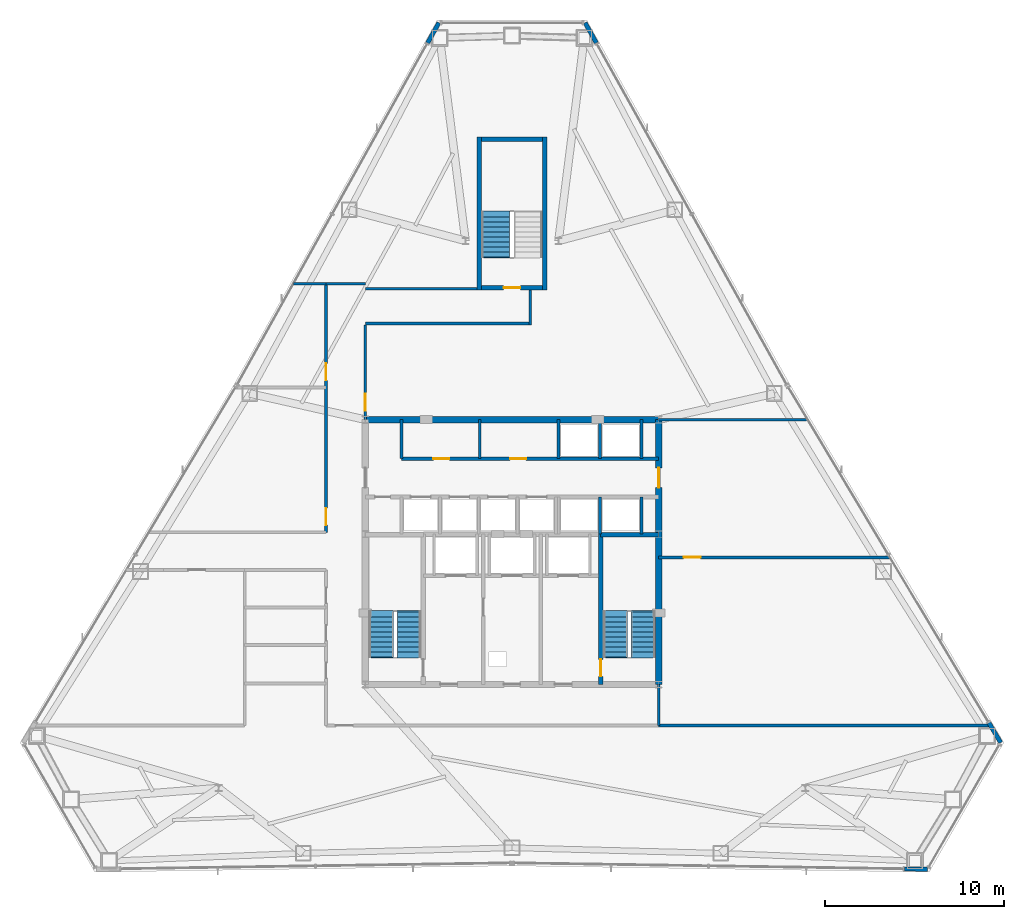
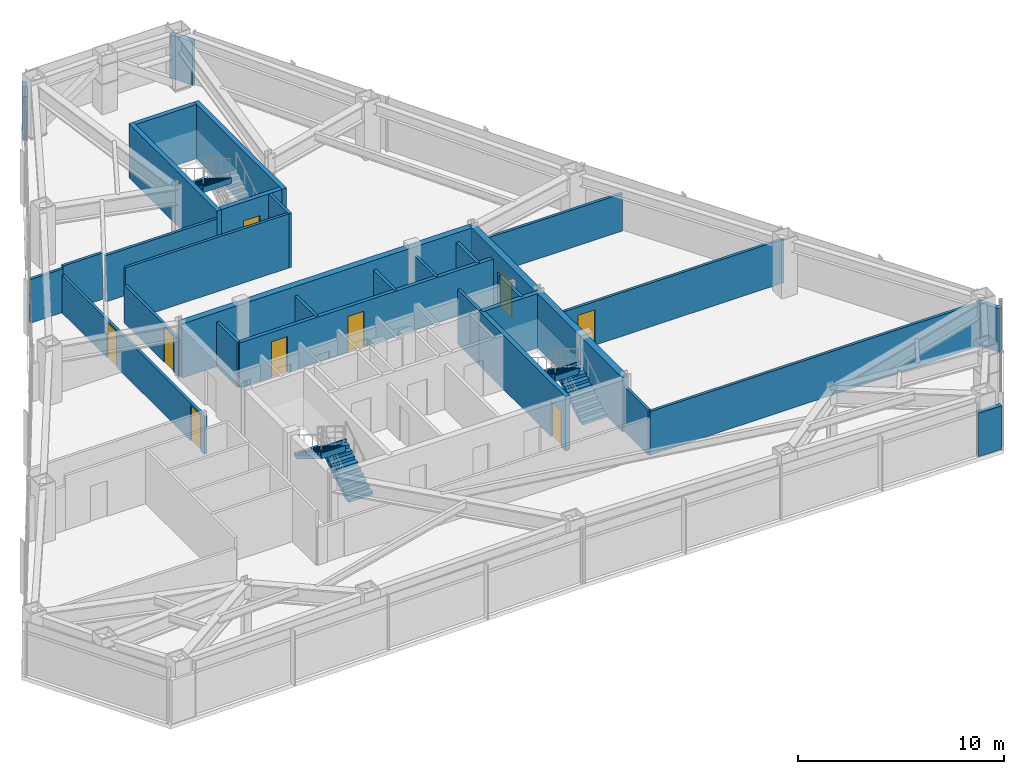
# One storey, part 11 of 13: 31 walls, 9 doors, 5 stair flights, 9 openings, 3 elements without a shape of their own.
"""IFC4 building model written with IfcOpenShell, lengths in metres."""

from ifc_helpers import new_model, si_unit, direction, frame, frame_2d, origin, place, context, subcontext, project, spatial, polyline, rectangle, outline, extrude, material, layer, layer_set, type_object, element, fill, aggregate, save


model = new_model("IFC4")

# Units and contexts
model_context = context("Model", 3, precision=1e-05, world=origin(), true_north=direction((0.0, 1.0)))
body_context = subcontext(model_context, "Body", "Model", "MODEL_VIEW")
ifc_project = project(units=[si_unit("LENGTHUNIT", "METRE"), si_unit("AREAUNIT", "SQUARE_METRE"), si_unit("VOLUMEUNIT", "CUBIC_METRE"), si_unit("PLANEANGLEUNIT", "RADIAN"), si_unit("MASSUNIT", "GRAM", prefix="KILO")], contexts=[model_context])

# Site, building, storey
site_placement = place(None, origin())
site = spatial("IfcSite", under=ifc_project, at=site_placement, CompositionType="ELEMENT")
building_placement = place(site_placement, origin())
building = spatial("IfcBuilding", under=site, at=building_placement, Name="Varakhsha Concourse Tower", CompositionType="ELEMENT")
storey_placement = place(building_placement, frame((0.0, 0.0, 147.050048828125)))
storey = spatial("IfcBuildingStorey", under=building, at=storey_placement, Name="L42", CompositionType="ELEMENT", Elevation=147.050048828125)

# Wall
ifc_material_1 = material(Name="Concrete fc 65 MPa", Category="concrete")
ifc_layer_1 = layer(ifc_material_1, 0.35009765625, Name="WL-CORE-350")
ifc_layer_set_1 = layer_set([ifc_layer_1], Name="Concrete fc 65 MPa")
wall_type_1 = type_object("IfcWallType", Name="WL-CORE-350", PredefinedType="SHEAR", material=ifc_layer_set_1)
wall_1_placement = place(storey_placement, frame((31.800048828125, 31.199951171875, 0.0), z_axis=(0.0, 0.0, 1.0), x_axis=(1.0, 0.0, 0.0)))
element("IfcWall", 1, at=wall_1_placement, inside=storey, type_object=wall_type_1, Name="L42 Wall CWALL-N-L42", PredefinedType="SHEAR", context=body_context, shape_type="SweptSolid", body=[
    extrude(rectangle(XDim=16.39990234375, YDim=0.35009765625, at=frame_2d((8.199951171875, 0.0))), origin(), (0.0, 0.0, 1.0), 3.2099609375),
])

# Wall, opening, door
wall_2_placement = place(storey_placement, frame((48.199951171875, 16.39990234375, 0.0), z_axis=(0.0, 0.0, 1.0), x_axis=(0.0, 1.0, 0.0)))
wall_2 = element("IfcWall", 2, at=wall_2_placement, inside=storey, type_object=wall_type_1, Name="L42 Wall CWALL-E-L42", PredefinedType="SHEAR", context=body_context, shape_type="SweptSolid", body=[
    extrude(rectangle(XDim=14.800048828125, YDim=0.35009765625, at=frame_2d((7.39990234375, 0.0))), origin(), (0.0, 0.0, 1.0), 3.2099609375),
])
opening_1_placement = place(wall_2_placement, frame((11.0, 0.0, 0.0)))
opening_1 = element("IfcOpeningElement", 3, at=opening_1_placement, cuts=wall_2, Name="Opening DL-01", PredefinedType="OPENING", context=body_context, shape_type="SweptSolid", body=[
    extrude(rectangle(XDim=1.10009765625, YDim=2.14990234375, at=frame_2d((0.550048828125, 1.074951171875))), frame((0.0, 0.18505859375, 0.0), z_axis=(0.0, -1.0, 0.0), x_axis=(1.0, 0.0, 0.0)), (0.0, 0.0, 1.0), 0.3701171875),
])
ifc_material_2 = material(Name="Anodised Bronze Architectural Aluminium AA 6063-T6", Category="aluminium")
door_type_1 = type_object("IfcDoorType", Name="DR-LOB-1100", OperationType="NOTDEFINED", PredefinedType="DOOR", material=ifc_material_2)
door_1_placement = place(opening_1_placement, origin())
door_1 = element("IfcDoor", 4, at=door_1_placement, inside=storey, type_object=door_type_1, Name="L42 Lift Lobby East Concourse Door", OperationType="SINGLE_SWING_RIGHT", OverallHeight=2.14990234375, OverallWidth=1.10009765625, PredefinedType="DOOR", context=body_context, shape_type="SweptSolid", body=[
    extrude(rectangle(XDim=1.10009765625, YDim=2.14990234375, at=frame_2d((0.550048828125, 1.074951171875))), frame((0.0, 0.02490234375, 0.0), z_axis=(0.0, -1.0, 0.0), x_axis=(1.0, 0.0, 0.0)), (0.0, 0.0, 1.0), 0.050048828125),
])
fill(opening_1, door_1)

# Walls
ifc_material_3 = material(Name="Concrete fc 45 MPa", Category="concrete")
ifc_layer_2 = layer(ifc_material_3, 0.239990234375, Name="WL-EXT-CRN-240")
ifc_layer_set_2 = layer_set([ifc_layer_2], Name="Concrete fc 45 MPa")
wall_type_2 = type_object("IfcWallType", Name="WL-EXT-CRN-240", PredefinedType="SHEAR", material=ifc_layer_set_2)
for number, where, z_axis, x_axis, name in (
    (5, (35.9111328125, 53.3955078125, 0.0), (0.0, 0.0, 1.0), (-0.486747388301, -0.87354277513, 0.0), "L42 Wind-Corner Shoulder Wall F2"),
    (6, (61.945068359375, 6.080810546875, 0.0), (0.0, 0.0, 1.0), (0.999886185818, -0.015086928492, 0.0), "L42 Wind-Corner Shoulder Wall F6"),
):
    element("IfcWall", number, at=place(storey_placement, frame(where, z_axis=z_axis, x_axis=x_axis)), inside=storey, type_object=wall_type_2, Name=name, PredefinedType="SHEAR", context=body_context, shape_type="SweptSolid", body=[
        extrude(rectangle(XDim=1.294677734375, YDim=0.239990234375, at=frame_2d((0.6474609375, 0.0))), origin(), (0.0, 0.0, 1.0), 2.5830078125),
    ])
wall_3_placement = place(storey_placement, frame((67.328369140625, 13.143310546875, 0.0), z_axis=(0.0, 0.0, 1.0), x_axis=(-0.513024934393, 0.858373704567, 0.0)))
element("IfcWall", 7, at=wall_3_placement, inside=storey, type_object=wall_type_2, Name="L42 Wind-Corner Shoulder Wall F8", PredefinedType="SHEAR", context=body_context, shape_type="SweptSolid", body=[
    extrude(rectangle(XDim=1.29443359375, YDim=0.239990234375, at=frame_2d((0.647216796875, 0.0))), origin(), (0.0, 0.0, 1.0), 2.5830078125),
])
wall_4_placement = place(storey_placement, frame((44.718994140625, 52.2646484375, 0.0), z_axis=(0.0, 0.0, 1.0), x_axis=(-0.486747388301, 0.87354277513, 0.0)))
element("IfcWall", 8, at=wall_4_placement, inside=storey, type_object=wall_type_2, Name="L42 Wind-Corner Shoulder Wall F9", PredefinedType="SHEAR", context=body_context, shape_type="SweptSolid", body=[
    extrude(rectangle(XDim=1.294677734375, YDim=0.239990234375, at=frame_2d((0.6474609375, 0.0))), origin(), (0.0, 0.0, 1.0), 2.5830078125),
])
ifc_material_4 = material(Name="Fire-Rated Type X Gypsum Partition Assembly", Category="gypsum")
ifc_layer_3 = layer(ifc_material_4, 0.14990234375, Name="WL-PART-150")
ifc_layer_set_3 = layer_set([ifc_layer_3], Name="Fire-Rated Type X Gypsum Partition Assembly")
wall_type_3 = type_object("IfcWallType", Name="WL-PART-150", PredefinedType="PARTITIONING", material=ifc_layer_set_3)
wall_5_placement = place(storey_placement, frame((38.199951171875, 29.02001953125, 0.0), z_axis=(0.0, 0.0, 1.0), x_axis=(0.0, 1.0, 0.0)))
element("IfcWall", 9, at=wall_5_placement, inside=storey, type_object=wall_type_3, Name="L42 Wall P1F-D1-L42", PredefinedType="PARTITIONING", context=body_context, shape_type="SweptSolid", body=[
    extrude(rectangle(XDim=2.179931640625, YDim=0.14990234375, at=frame_2d((1.08984375, 0.0))), origin(), (0.0, 0.0, 1.0), 2.660888671875),
])
wall_6_placement = place(storey_placement, frame((48.199951171875, 14.10009765625, 0.0), z_axis=(0.0, 0.0, 1.0), x_axis=(0.0, 1.0, 0.0)))
element("IfcWall", 10, at=wall_6_placement, inside=storey, type_object=wall_type_3, Name="L42 Wall CRW-SE-L42", PredefinedType="PARTITIONING", context=body_context, shape_type="SweptSolid", body=[
    extrude(rectangle(XDim=2.2998046875, YDim=0.14990234375, at=frame_2d((1.14990234375, 0.0))), origin(), (0.0, 0.0, 1.0), 2.660888671875),
])

# Wall, openings, doors
wall_7_placement = place(storey_placement, frame((29.60009765625, 24.89990234375, 0.0), z_axis=(0.0, 0.0, 1.0), x_axis=(0.0, 1.0, 0.0)))
wall_7 = element("IfcWall", 11, at=wall_7_placement, inside=storey, type_object=wall_type_3, Name="L42 Wall CRW-WN-L42", PredefinedType="PARTITIONING", context=body_context, shape_type="SweptSolid", body=[
    extrude(rectangle(XDim=13.900146484375, YDim=0.14990234375, at=frame_2d((6.9501953125, 0.0))), origin(), (0.0, 0.0, 1.0), 2.224853515625),
])
opening_2_placement = place(wall_7_placement, frame((0.39990234375, 0.0, 0.0)))
opening_2 = element("IfcOpeningElement", 12, at=opening_2_placement, cuts=wall_7, Name="Opening DF-05", PredefinedType="OPENING", context=body_context, shape_type="SweptSolid", body=[
    extrude(rectangle(XDim=0.949951171875, YDim=2.10009765625, at=frame_2d((0.47509765625, 1.050048828125))), frame((0.0, 0.0849609375, 0.0), z_axis=(0.0, -1.0, 0.0), x_axis=(1.0, 0.0, 0.0)), (0.0, 0.0, 1.0), 0.169921875),
])
opening_3_placement = place(wall_7_placement, frame((8.5, 0.0, 0.0)))
opening_3 = element("IfcOpeningElement", 13, at=opening_3_placement, cuts=wall_7, Name="Opening DF-05", PredefinedType="OPENING", context=body_context, shape_type="SweptSolid", body=[
    extrude(rectangle(XDim=0.949951171875, YDim=2.10009765625, at=frame_2d((0.47509765625, 1.050048828125))), frame((0.0, 0.0849609375, 0.0), z_axis=(0.0, -1.0, 0.0), x_axis=(1.0, 0.0, 0.0)), (0.0, 0.0, 1.0), 0.169921875),
])
ifc_material_5 = material(Name="Hollow Galvanised Steel Fire Door Assembly", Category="steel")
door_type_2 = type_object("IfcDoorType", Name="DR-FD60-950", OperationType="NOTDEFINED", PredefinedType="DOOR", material=ifc_material_5)
door_2_placement = place(opening_2_placement, origin())
door_2 = element("IfcDoor", 14, at=door_2_placement, inside=storey, type_object=door_type_2, Name="L42 Institutional Client Office L42-NW Door", OperationType="SINGLE_SWING_RIGHT", OverallHeight=2.10009765625, OverallWidth=0.949951171875, PredefinedType="DOOR", context=body_context, shape_type="SweptSolid", body=[
    extrude(rectangle(XDim=0.949951171875, YDim=2.10009765625, at=frame_2d((0.47509765625, 1.050048828125))), frame((0.0, 0.02490234375, 0.0), z_axis=(0.0, -1.0, 0.0), x_axis=(1.0, 0.0, 0.0)), (0.0, 0.0, 1.0), 0.050048828125),
])
fill(opening_2, door_2)
door_3_placement = place(opening_3_placement, origin())
door_3 = element("IfcDoor", 15, at=door_3_placement, inside=storey, type_object=door_type_2, Name="L42 Quantitative Analytics Studio L42-W2 Door", OperationType="SINGLE_SWING_LEFT", OverallHeight=2.10009765625, OverallWidth=0.949951171875, PredefinedType="DOOR", context=body_context, shape_type="SweptSolid", body=[
    extrude(rectangle(XDim=0.949951171875, YDim=2.10009765625, at=frame_2d((0.47509765625, 1.050048828125))), frame((0.0, 0.02490234375, 0.0), z_axis=(0.0, -1.0, 0.0), x_axis=(1.0, 0.0, 0.0)), (0.0, 0.0, 1.0), 0.050048828125),
])
fill(opening_3, door_3)

# Wall, opening, door
wall_8_placement = place(storey_placement, frame((31.800048828125, 31.199951171875, 0.0), z_axis=(0.0, 0.0, 1.0), x_axis=(0.0, 1.0, 0.0)))
wall_8 = element("IfcWall", 16, at=wall_8_placement, inside=storey, type_object=wall_type_3, Name="L42 Wall CRW-NE-L42", PredefinedType="PARTITIONING", context=body_context, shape_type="SweptSolid", body=[
    extrude(rectangle(XDim=5.300048828125, YDim=0.14990234375, at=frame_2d((2.64990234375, 0.0))), origin(), (0.0, 0.0, 1.0), 2.224853515625),
])
opening_4_placement = place(wall_8_placement, frame((0.5, 0.0, 0.0)))
opening_4 = element("IfcOpeningElement", 17, at=opening_4_placement, cuts=wall_8, Name="Opening DF-05", PredefinedType="OPENING", context=body_context, shape_type="SweptSolid", body=[
    extrude(rectangle(XDim=0.949951171875, YDim=2.10009765625, at=frame_2d((0.47509765625, 1.050048828125))), frame((0.0, 0.0849609375, 0.0), z_axis=(0.0, -1.0, 0.0), x_axis=(1.0, 0.0, 0.0)), (0.0, 0.0, 1.0), 0.169921875),
])
door_4_placement = place(opening_4_placement, origin())
door_4 = element("IfcDoor", 18, at=door_4_placement, inside=storey, type_object=door_type_2, Name="L42 Mountain View Portfolio Risk Office L42-NE1 Door", OperationType="SINGLE_SWING_RIGHT", OverallHeight=2.10009765625, OverallWidth=0.949951171875, PredefinedType="DOOR", context=body_context, shape_type="SweptSolid", body=[
    extrude(rectangle(XDim=0.949951171875, YDim=2.10009765625, at=frame_2d((0.47509765625, 1.050048828125))), frame((0.0, 0.02490234375, 0.0), z_axis=(0.0, -1.0, 0.0), x_axis=(1.0, 0.0, 0.0)), (0.0, 0.0, 1.0), 0.050048828125),
])
fill(opening_4, door_4)

# Walls
wall_9_placement = place(storey_placement, frame((29.60009765625, 38.800048828125, 0.0), z_axis=(0.0, 0.0, 1.0), x_axis=(1.0, 0.0, 0.0)))
element("IfcWall", 19, at=wall_9_placement, inside=storey, type_object=wall_type_3, Name="L42 Wall CRW-NCAP-L42", PredefinedType="PARTITIONING", context=body_context, shape_type="SweptSolid", body=[
    extrude(rectangle(XDim=2.199951171875, YDim=0.14990234375, at=frame_2d((1.10009765625, 0.0))), origin(), (0.0, 0.0, 1.0), 2.742919921875),
])
wall_10_placement = place(storey_placement, frame((27.781005859375, 38.800048828125, 0.0), z_axis=(0.0, 0.0, 1.0), x_axis=(1.0, 0.0, 0.0)))
element("IfcWall", 20, at=wall_10_placement, inside=storey, type_object=wall_type_3, Name="L42 Wall ODIV-NWT-L42", PredefinedType="PARTITIONING", context=body_context, shape_type="SweptSolid", body=[
    extrude(rectangle(XDim=1.819091796875, YDim=0.14990234375, at=frame_2d((0.90966796875, 0.0))), origin(), (0.0, 0.0, 1.0), 2.5888671875),
])
wall_11_placement = place(storey_placement, frame((48.199951171875, 31.199951171875, 0.0), z_axis=(0.0, 0.0, 1.0), x_axis=(1.0, 0.0, 0.0)))
element("IfcWall", 21, at=wall_11_placement, inside=storey, type_object=wall_type_3, Name="L42 Wall ODIV-NEB-L42", PredefinedType="PARTITIONING", context=body_context, shape_type="SweptSolid", body=[
    extrude(rectangle(XDim=8.33154296875, YDim=0.14990234375, at=frame_2d((4.165771484375, 0.0))), origin(), (0.0, 0.0, 1.0), 2.224853515625),
])
wall_12_placement = place(storey_placement, frame((48.199951171875, 14.10009765625, 0.0), z_axis=(0.0, 0.0, 1.0), x_axis=(1.0, 0.0, 0.0)))
element("IfcWall", 22, at=wall_12_placement, inside=storey, type_object=wall_type_3, Name="L42 Wall ODIV-EB0-L42", PredefinedType="PARTITIONING", context=body_context, shape_type="SweptSolid", body=[
    extrude(rectangle(XDim=18.55078125, YDim=0.14990234375, at=frame_2d((9.275390625, 0.0))), origin(), (0.0, 0.0, 1.0), 2.5888671875),
])

# Wall, opening, door
wall_13_placement = place(storey_placement, frame((48.199951171875, 23.5, 0.0), z_axis=(0.0, 0.0, 1.0), x_axis=(1.0, 0.0, 0.0)))
wall_13 = element("IfcWall", 23, at=wall_13_placement, inside=storey, type_object=wall_type_3, Name="L42 Wall ODIV-E1-L42", PredefinedType="PARTITIONING", context=body_context, shape_type="SweptSolid", body=[
    extrude(rectangle(XDim=12.933349609375, YDim=0.14990234375, at=frame_2d((6.466796875, 0.0))), origin(), (0.0, 0.0, 1.0), 2.5888671875),
])
opening_5_placement = place(wall_13_placement, frame((1.39990234375, 0.0, 0.0)))
opening_5 = element("IfcOpeningElement", 24, at=opening_5_placement, cuts=wall_13, Name="Opening DF-05", PredefinedType="OPENING", context=body_context, shape_type="SweptSolid", body=[
    extrude(rectangle(XDim=0.949951171875, YDim=2.10009765625, at=frame_2d((0.47509765625, 1.050048828125))), frame((0.0, 0.0849609375, 0.0), z_axis=(0.0, -1.0, 0.0), x_axis=(1.0, 0.0, 0.0)), (0.0, 0.0, 1.0), 0.169921875),
])
door_5_placement = place(opening_5_placement, origin())
door_5 = element("IfcDoor", 25, at=door_5_placement, inside=storey, type_object=door_type_2, Name="L42 East Suite Interconnect Door 1", OperationType="SINGLE_SWING_LEFT", OverallHeight=2.10009765625, OverallWidth=0.949951171875, PredefinedType="DOOR", context=body_context, shape_type="SweptSolid", body=[
    extrude(rectangle(XDim=0.949951171875, YDim=2.10009765625, at=frame_2d((0.47509765625, 1.050048828125))), frame((0.0, 0.02490234375, 0.0), z_axis=(0.0, -1.0, 0.0), x_axis=(1.0, 0.0, 0.0)), (0.0, 0.0, 1.0), 0.050048828125),
])
fill(opening_5, door_5)

# Walls
wall_14_placement = place(storey_placement, frame((31.800048828125, 36.574951171875, 0.0), z_axis=(0.0, 0.0, 1.0), x_axis=(1.0, 0.0, 0.0)))
element("IfcWall", 26, at=wall_14_placement, inside=storey, type_object=wall_type_3, Name="L42 Wall STLK-S-L42", PredefinedType="PARTITIONING", context=body_context, shape_type="SweptSolid", body=[
    extrude(rectangle(XDim=9.14990234375, YDim=0.14990234375, at=frame_2d((4.574951171875, 0.0))), origin(), (0.0, 0.0, 1.0), 3.2099609375),
])
wall_15_placement = place(storey_placement, frame((31.800048828125, 38.52490234375, 0.0), z_axis=(0.0, 0.0, 1.0), x_axis=(1.0, 0.0, 0.0)))
element("IfcWall", 27, at=wall_15_placement, inside=storey, type_object=wall_type_3, Name="L42 Wall STLK-N-L42", PredefinedType="PARTITIONING", context=body_context, shape_type="SweptSolid", body=[
    extrude(rectangle(XDim=6.25, YDim=0.14990234375, at=frame_2d((3.125, 0.0))), origin(), (0.0, 0.0, 1.0), 2.742919921875),
])
wall_16_placement = place(storey_placement, frame((41.02490234375, 36.5, 0.0), z_axis=(0.0, 0.0, 1.0), x_axis=(0.0, 1.0, 0.0)))
element("IfcWall", 28, at=wall_16_placement, inside=storey, type_object=wall_type_3, Name="L42 Wall STLK-E-L42", PredefinedType="PARTITIONING", context=body_context, shape_type="SweptSolid", body=[
    extrude(rectangle(XDim=1.949951171875, YDim=0.14990234375, at=frame_2d((0.97509765625, 0.0))), origin(), (0.0, 0.0, 1.0), 3.2099609375),
])

# Wall, openings, doors
ifc_layer_4 = layer(ifc_material_4, 0.199951171875, Name="WL-SHAFT-220")
ifc_layer_set_4 = layer_set([ifc_layer_4], Name="Fire-Rated Type X Gypsum Partition Assembly")
wall_type_4 = type_object("IfcWallType", Name="WL-SHAFT-220", PredefinedType="SOLIDWALL", material=ifc_layer_set_4)
wall_17_placement = place(storey_placement, frame((33.820068359375, 29.02001953125, 0.0), z_axis=(0.0, 0.0, 1.0), x_axis=(1.0, 0.0, 0.0)))
wall_17 = element("IfcWall", 29, at=wall_17_placement, inside=storey, type_object=wall_type_4, Name="L42 Wall PLW-N-L42", PredefinedType="SOLIDWALL", context=body_context, shape_type="SweptSolid", body=[
    extrude(rectangle(XDim=14.3798828125, YDim=0.199951171875, at=frame_2d((7.18994140625, 0.0))), origin(), (0.0, 0.0, 1.0), 2.660888671875),
])
opening_6_placement = place(wall_17_placement, frame((1.780029296875, 0.0, 0.0)))
opening_6 = element("IfcOpeningElement", 30, at=opening_6_placement, cuts=wall_17, Name="Opening DF-06", PredefinedType="OPENING", context=body_context, shape_type="SweptSolid", body=[
    extrude(rectangle(XDim=0.89990234375, YDim=2.10009765625, at=frame_2d((0.449951171875, 1.050048828125))), frame((0.0, 0.10986328125, 0.0), z_axis=(0.0, -1.0, 0.0), x_axis=(1.0, 0.0, 0.0)), (0.0, 0.0, 1.0), 0.219970703125),
])
opening_7_placement = place(wall_17_placement, frame((6.070068359375, 0.0, 0.0)))
opening_7 = element("IfcOpeningElement", 31, at=opening_7_placement, cuts=wall_17, Name="Opening DF-06", PredefinedType="OPENING", context=body_context, shape_type="SweptSolid", body=[
    extrude(rectangle(XDim=0.89990234375, YDim=2.10009765625, at=frame_2d((0.449951171875, 1.050048828125))), frame((0.0, 0.10986328125, 0.0), z_axis=(0.0, -1.0, 0.0), x_axis=(1.0, 0.0, 0.0)), (0.0, 0.0, 1.0), 0.219970703125),
])
door_type_3 = type_object("IfcDoorType", Name="DR-FD60-900", OperationType="NOTDEFINED", PredefinedType="DOOR", material=ifc_material_5)
door_6_placement = place(opening_6_placement, origin())
door_6 = element("IfcDoor", 32, at=door_6_placement, inside=storey, type_object=door_type_3, Name="L42 Tenant Archive and IT Server Room Door", OperationType="SINGLE_SWING_LEFT", OverallHeight=2.10009765625, OverallWidth=0.89990234375, PredefinedType="DOOR", context=body_context, shape_type="SweptSolid", body=[
    extrude(rectangle(XDim=0.89990234375, YDim=2.10009765625, at=frame_2d((0.449951171875, 1.050048828125))), frame((0.0, 0.02490234375, 0.0), z_axis=(0.0, -1.0, 0.0), x_axis=(1.0, 0.0, 0.0)), (0.0, 0.0, 1.0), 0.050048828125),
])
fill(opening_6, door_6)
door_7_placement = place(opening_7_placement, origin())
door_7 = element("IfcDoor", 33, at=door_7_placement, inside=storey, type_object=door_type_3, Name="L42 Core Facility Closet N1 Door", OperationType="SINGLE_SWING_RIGHT", OverallHeight=2.10009765625, OverallWidth=0.89990234375, PredefinedType="DOOR", context=body_context, shape_type="SweptSolid", body=[
    extrude(rectangle(XDim=0.89990234375, YDim=2.10009765625, at=frame_2d((0.449951171875, 1.050048828125))), frame((0.0, 0.02490234375, 0.0), z_axis=(0.0, -1.0, 0.0), x_axis=(1.0, 0.0, 0.0)), (0.0, 0.0, 1.0), 0.050048828125),
])
fill(opening_7, door_7)

# Walls
for number, where, z_axis, x_axis, name in (
    (34, (33.820068359375, 29.02001953125, 0.0), (0.0, 0.0, 1.0), (0.0, 1.0, 0.0), "L42 Wall WBOH-E1-L42"),
    (35, (42.60009765625, 29.02001953125, 0.0), (0.0, 0.0, 1.0), (0.0, 1.0, 0.0), "L42 Wall SHW-LF-P09-W-L42"),
    (36, (44.919921875, 29.02001953125, 0.0), (0.0, 0.0, 1.0), (0.0, 1.0, 0.0), "L42 Wall SHW-LF-P09-E-L42"),
    (37, (47.239990234375, 29.02001953125, 0.0), (0.0, 0.0, 1.0), (0.0, 1.0, 0.0), "L42 Wall SHW-LF-P10-E-L42"),
):
    element("IfcWall", number, at=place(storey_placement, frame(where, z_axis=z_axis, x_axis=x_axis)), inside=storey, type_object=wall_type_4, Name=name, PredefinedType="SOLIDWALL", context=body_context, shape_type="SweptSolid", body=[
        extrude(rectangle(XDim=2.179931640625, YDim=0.159912109375, at=frame_2d((1.08984375, 0.0))), origin(), (0.0, 0.0, 1.0), 2.660888671875),
    ])
for number, where, z_axis, x_axis, name in (
    (38, (44.919921875, 24.800048828125, 0.0), (0.0, 0.0, 1.0), (0.0, 1.0, 0.0), "L42 Wall SHW-LF-P11-E-L42"),
    (39, (47.239990234375, 24.800048828125, 0.0), (0.0, 0.0, 1.0), (0.0, 1.0, 0.0), "L42 Wall SHW-LF-P12-E-L42"),
):
    element("IfcWall", number, at=place(storey_placement, frame(where, z_axis=z_axis, x_axis=x_axis)), inside=storey, type_object=wall_type_4, Name=name, PredefinedType="SOLIDWALL", context=body_context, shape_type="SweptSolid", body=[
        extrude(rectangle(XDim=2.079833984375, YDim=0.159912109375, at=frame_2d((1.0400390625, 0.0))), origin(), (0.0, 0.0, 1.0), 3.2099609375),
    ])

# Wall, opening, door
ifc_layer_5 = layer(ifc_material_3, 0.25, Name="WL-STAIR-250")
ifc_layer_set_5 = layer_set([ifc_layer_5], Name="Concrete fc 45 MPa")
wall_type_5 = type_object("IfcWallType", Name="WL-STAIR-250", PredefinedType="SHEAR", material=ifc_layer_set_5)
wall_18_placement = place(storey_placement, frame((44.955078125, 16.39990234375, 0.0), z_axis=(0.0, 0.0, 1.0), x_axis=(0.0, 1.0, 0.0)))
wall_18 = element("IfcWall", 40, at=wall_18_placement, inside=storey, type_object=wall_type_5, Name="L42 Wall SWALL-ST2-W-L42", PredefinedType="SHEAR", context=body_context, shape_type="SweptSolid", body=[
    extrude(rectangle(XDim=8.400146484375, YDim=0.25, at=frame_2d((4.2001953125, 0.0))), origin(), (0.0, 0.0, 1.0), 3.2099609375),
])
opening_8_placement = place(wall_18_placement, frame((0.449951171875, 0.0, 0.0)))
opening_8 = element("IfcOpeningElement", 41, at=opening_8_placement, cuts=wall_18, Name="Opening DF-03", PredefinedType="OPENING", context=body_context, shape_type="SweptSolid", body=[
    extrude(rectangle(XDim=0.949951171875, YDim=2.10009765625, at=frame_2d((0.47509765625, 1.050048828125))), frame((0.0, 0.135009765625, 0.0), z_axis=(0.0, -1.0, 0.0), x_axis=(1.0, 0.0, 0.0)), (0.0, 0.0, 1.0), 0.27001953125),
])
door_type_4 = type_object("IfcDoorType", Name="DR-FD90-950", OperationType="NOTDEFINED", PredefinedType="DOOR", material=ifc_material_5)
door_8_placement = place(opening_8_placement, origin())
door_8 = element("IfcDoor", 42, at=door_8_placement, inside=storey, type_object=door_type_4, Name="L42 Stair ST2 Fire Door", OperationType="SINGLE_SWING_RIGHT", OverallHeight=2.10009765625, OverallWidth=0.949951171875, PredefinedType="DOOR", context=body_context, shape_type="SweptSolid", body=[
    extrude(rectangle(XDim=0.949951171875, YDim=2.10009765625, at=frame_2d((0.47509765625, 1.050048828125))), frame((0.0, 0.02490234375, 0.0), z_axis=(0.0, -1.0, 0.0), x_axis=(1.0, 0.0, 0.0)), (0.0, 0.0, 1.0), 0.050048828125),
])
fill(opening_8, door_8)

# Walls
wall_19_placement = place(storey_placement, frame((44.955078125, 24.7548828125, 0.0), z_axis=(0.0, 0.0, 1.0), x_axis=(1.0, 0.0, 0.0)))
element("IfcWall", 43, at=wall_19_placement, inside=storey, type_object=wall_type_5, Name="L42 Wall SWALL-ST2-N-L42", PredefinedType="SHEAR", context=body_context, shape_type="SweptSolid", body=[
    extrude(rectangle(XDim=3.244873046875, YDim=0.25, at=frame_2d((1.62255859375, 0.0))), origin(), (0.0, 0.0, 1.0), 3.2099609375),
])
for number, where, z_axis, x_axis, name in (
    (44, (38.175048828125, 38.449951171875, 0.0), (0.0, 0.0, 1.0), (0.0, 1.0, 0.0), "L42 Wall SWALL-ST5-W-L42"),
    (45, (41.824951171875, 38.449951171875, 0.0), (0.0, 0.0, 1.0), (0.0, 1.0, 0.0), "L42 Wall SWALL-ST5-E-L42"),
):
    element("IfcWall", number, at=place(storey_placement, frame(where, z_axis=z_axis, x_axis=x_axis)), inside=storey, type_object=wall_type_5, Name=name, PredefinedType="SHEAR", context=body_context, shape_type="SweptSolid", body=[
        extrude(rectangle(XDim=8.550048828125, YDim=0.25, at=frame_2d((4.27490234375, 0.0))), origin(), (0.0, 0.0, 1.0), 3.2099609375),
    ])

# Wall, opening, door
wall_20_placement = place(storey_placement, frame((38.300048828125, 38.574951171875, 0.0), z_axis=(0.0, 0.0, 1.0), x_axis=(1.0, 0.0, 0.0)))
wall_20 = element("IfcWall", 46, at=wall_20_placement, inside=storey, type_object=wall_type_5, Name="L42 Wall SWALL-ST5-S-L42", PredefinedType="SHEAR", context=body_context, shape_type="SweptSolid", body=[
    extrude(rectangle(XDim=3.39990234375, YDim=0.25, at=frame_2d((1.699951171875, 0.0))), origin(), (0.0, 0.0, 1.0), 3.2099609375),
])
opening_9_placement = place(wall_20_placement, frame((1.22509765625, 0.0, 0.0)))
opening_9 = element("IfcOpeningElement", 47, at=opening_9_placement, cuts=wall_20, Name="Opening DF-03", PredefinedType="OPENING", context=body_context, shape_type="SweptSolid", body=[
    extrude(rectangle(XDim=0.949951171875, YDim=2.10009765625, at=frame_2d((0.47509765625, 1.050048828125))), frame((0.0, 0.135009765625, 0.0), z_axis=(0.0, -1.0, 0.0), x_axis=(1.0, 0.0, 0.0)), (0.0, 0.0, 1.0), 0.27001953125),
])
door_9_placement = place(opening_9_placement, origin())
door_9 = element("IfcDoor", 48, at=door_9_placement, inside=storey, type_object=door_type_4, Name="L42 Stair ST5 Fire Door", OperationType="SINGLE_SWING_RIGHT", OverallHeight=2.10009765625, OverallWidth=0.949951171875, PredefinedType="DOOR", context=body_context, shape_type="SweptSolid", body=[
    extrude(rectangle(XDim=0.949951171875, YDim=2.10009765625, at=frame_2d((0.47509765625, 1.050048828125))), frame((0.0, 0.02490234375, 0.0), z_axis=(0.0, -1.0, 0.0), x_axis=(1.0, 0.0, 0.0)), (0.0, 0.0, 1.0), 0.050048828125),
])
fill(opening_9, door_9)

# Wall
wall_21_placement = place(storey_placement, frame((38.300048828125, 46.875, 0.0), z_axis=(0.0, 0.0, 1.0), x_axis=(1.0, 0.0, 0.0)))
element("IfcWall", 49, at=wall_21_placement, inside=storey, type_object=wall_type_5, Name="L42 Wall SWALL-ST5-N-L42", PredefinedType="SHEAR", context=body_context, shape_type="SweptSolid", body=[
    extrude(rectangle(XDim=3.39990234375, YDim=0.25, at=frame_2d((1.699951171875, 0.0))), origin(), (0.0, 0.0, 1.0), 3.2099609375),
])

# Stair, stair flights
stair_type_1 = type_object("IfcStairType", Name="ST-DOGLEG-1360", PredefinedType="HALF_TURN_STAIR", material=ifc_material_3)
stair_1_placement = place(storey_placement, origin())
stair_1 = element("IfcStair", 50, at=stair_1_placement, inside=storey, type_object=stair_type_1, Name="L42 Protected Exit Stair ST1", PredefinedType="HALF_TURN_STAIR")
stair_flight_type_1 = type_object("IfcStairFlightType", Name="STF-1360-R1725", PredefinedType="STRAIGHT", material=ifc_material_3)
stair_flight_1_placement = place(storey_placement, frame((34.239990234375, 17.93994140625, 0.0), z_axis=(0.0, 0.0, 1.0), x_axis=(0.0, 1.0, 0.0)))
stair_flight_1 = element("IfcStairFlight", 51, at=stair_flight_1_placement, type_object=stair_flight_type_1, Name="ST1 flight 1", NumberOfRisers=10, NumberOfTreads=9, PredefinedType="STRAIGHT", RiserHeight=0.1725, TreadLength=0.28, context=body_context, shape_type="SweptSolid", body=[
    extrude(outline(polyline([(-0.06005859375, 0.0), (-0.06005859375, 0.172607421875), (0.0, 0.172607421875), (0.280029296875, 0.172607421875), (0.280029296875, 0.344970703125), (0.56005859375, 0.344970703125), (0.56005859375, 0.517578125), (0.840087890625, 0.517578125), (0.840087890625, 0.68994140625), (1.1201171875, 0.68994140625), (1.1201171875, 0.862548828125), (1.39990234375, 0.862548828125), (1.39990234375, 1.034912109375), (1.679931640625, 1.034912109375), (1.679931640625, 1.20751953125), (1.9599609375, 1.20751953125), (1.9599609375, 1.3798828125), (2.239990234375, 1.3798828125), (2.239990234375, 1.552490234375), (2.52001953125, 1.552490234375), (2.52001953125, 1.72509765625), (2.580078125, 1.72509765625), (2.580078125, 1.37646484375), (2.52001953125, 1.37646484375), (0.285888671875, 0.0), (-0.06005859375, 0.0)])), frame((0.0, 0.68017578125, 0.0), z_axis=(0.0, -1.0, 0.0), x_axis=(1.0, 0.0, 0.0)), (0.0, 0.0, 1.0), 1.360107421875),
])
stair_flight_2_placement = place(storey_placement, frame((32.679931640625, 20.4599609375, 1.724853515625), z_axis=(0.0, 0.0, 1.0), x_axis=(0.0, -1.0, 0.0)))
stair_flight_2 = element("IfcStairFlight", 52, at=stair_flight_2_placement, type_object=stair_flight_type_1, Name="ST1 flight 2", NumberOfRisers=10, NumberOfTreads=9, PredefinedType="STRAIGHT", RiserHeight=0.1725, TreadLength=0.28, context=body_context, shape_type="SweptSolid", body=[
    extrude(outline(polyline([(-0.06005859375, 0.0), (-0.06005859375, 0.172607421875), (0.0, 0.172607421875), (0.280029296875, 0.172607421875), (0.280029296875, 0.344970703125), (0.56005859375, 0.344970703125), (0.56005859375, 0.517578125), (0.840087890625, 0.517578125), (0.840087890625, 0.68994140625), (1.1201171875, 0.68994140625), (1.1201171875, 0.862548828125), (1.39990234375, 0.862548828125), (1.39990234375, 1.034912109375), (1.679931640625, 1.034912109375), (1.679931640625, 1.20751953125), (1.9599609375, 1.20751953125), (1.9599609375, 1.3798828125), (2.239990234375, 1.3798828125), (2.239990234375, 1.552490234375), (2.52001953125, 1.552490234375), (2.52001953125, 1.72509765625), (2.580078125, 1.72509765625), (2.580078125, 1.37646484375), (2.52001953125, 1.37646484375), (0.285888671875, 0.0), (-0.06005859375, 0.0)])), frame((0.0, 0.68017578125, 0.0), z_axis=(0.0, -1.0, 0.0), x_axis=(1.0, 0.0, 0.0)), (0.0, 0.0, 1.0), 1.360107421875),
])
aggregate(stair_1, [stair_flight_1, stair_flight_2])

stair_2_placement = place(storey_placement, origin())
stair_2 = element("IfcStair", 53, at=stair_2_placement, inside=storey, type_object=stair_type_1, Name="L42 Protected Exit Stair ST2", PredefinedType="HALF_TURN_STAIR")
stair_flight_3_placement = place(storey_placement, frame((47.340087890625, 17.93994140625, 0.0), z_axis=(0.0, 0.0, 1.0), x_axis=(0.0, 1.0, 0.0)))
stair_flight_3 = element("IfcStairFlight", 54, at=stair_flight_3_placement, type_object=stair_flight_type_1, Name="ST2 flight 1", NumberOfRisers=10, NumberOfTreads=9, PredefinedType="STRAIGHT", RiserHeight=0.1725, TreadLength=0.28, context=body_context, shape_type="SweptSolid", body=[
    extrude(outline(polyline([(-0.06005859375, 0.0), (-0.06005859375, 0.172607421875), (0.0, 0.172607421875), (0.280029296875, 0.172607421875), (0.280029296875, 0.344970703125), (0.56005859375, 0.344970703125), (0.56005859375, 0.517578125), (0.840087890625, 0.517578125), (0.840087890625, 0.68994140625), (1.1201171875, 0.68994140625), (1.1201171875, 0.862548828125), (1.39990234375, 0.862548828125), (1.39990234375, 1.034912109375), (1.679931640625, 1.034912109375), (1.679931640625, 1.20751953125), (1.9599609375, 1.20751953125), (1.9599609375, 1.3798828125), (2.239990234375, 1.3798828125), (2.239990234375, 1.552490234375), (2.52001953125, 1.552490234375), (2.52001953125, 1.72509765625), (2.580078125, 1.72509765625), (2.580078125, 1.37646484375), (2.52001953125, 1.37646484375), (0.285888671875, 0.0), (-0.06005859375, 0.0)])), frame((0.0, 0.68017578125, 0.0), z_axis=(0.0, -1.0, 0.0), x_axis=(1.0, 0.0, 0.0)), (0.0, 0.0, 1.0), 1.360107421875),
])
stair_flight_4_placement = place(storey_placement, frame((45.780029296875, 20.4599609375, 1.724853515625), z_axis=(0.0, 0.0, 1.0), x_axis=(0.0, -1.0, 0.0)))
stair_flight_4 = element("IfcStairFlight", 55, at=stair_flight_4_placement, type_object=stair_flight_type_1, Name="ST2 flight 2", NumberOfRisers=10, NumberOfTreads=9, PredefinedType="STRAIGHT", RiserHeight=0.1725, TreadLength=0.28, context=body_context, shape_type="SweptSolid", body=[
    extrude(outline(polyline([(-0.06005859375, 0.0), (-0.06005859375, 0.172607421875), (0.0, 0.172607421875), (0.280029296875, 0.172607421875), (0.280029296875, 0.344970703125), (0.56005859375, 0.344970703125), (0.56005859375, 0.517578125), (0.840087890625, 0.517578125), (0.840087890625, 0.68994140625), (1.1201171875, 0.68994140625), (1.1201171875, 0.862548828125), (1.39990234375, 0.862548828125), (1.39990234375, 1.034912109375), (1.679931640625, 1.034912109375), (1.679931640625, 1.20751953125), (1.9599609375, 1.20751953125), (1.9599609375, 1.3798828125), (2.239990234375, 1.3798828125), (2.239990234375, 1.552490234375), (2.52001953125, 1.552490234375), (2.52001953125, 1.72509765625), (2.580078125, 1.72509765625), (2.580078125, 1.37646484375), (2.52001953125, 1.37646484375), (0.285888671875, 0.0), (-0.06005859375, 0.0)])), frame((0.0, 0.68017578125, 0.0), z_axis=(0.0, -1.0, 0.0), x_axis=(1.0, 0.0, 0.0)), (0.0, 0.0, 1.0), 1.360107421875),
])
aggregate(stair_2, [stair_flight_3, stair_flight_4])

# Stair, stair flight
stair_type_2 = type_object("IfcStairType", Name="ST-DOGLEG-1600", PredefinedType="HALF_TURN_STAIR", material=ifc_material_3)
stair_3_placement = place(storey_placement, origin())
stair_3 = element("IfcStair", 56, at=stair_3_placement, inside=storey, type_object=stair_type_2, Name="L42 Protected Exit Stair ST5", PredefinedType="HALF_TURN_STAIR")
stair_flight_type_2 = type_object("IfcStairFlightType", Name="STF-1600-R1725", PredefinedType="STRAIGHT", material=ifc_material_3)
stair_flight_5_placement = place(storey_placement, frame((39.10009765625, 42.820068359375, 1.724853515625), z_axis=(0.0, 0.0, 1.0), x_axis=(0.0, -1.0, 0.0)))
stair_flight_5 = element("IfcStairFlight", 57, at=stair_flight_5_placement, type_object=stair_flight_type_2, Name="ST5 flight 2", NumberOfRisers=10, NumberOfTreads=9, PredefinedType="STRAIGHT", RiserHeight=0.1725, TreadLength=0.28, context=body_context, shape_type="SweptSolid", body=[
    extrude(outline(polyline([(-0.06005859375, 0.0), (-0.06005859375, 0.172607421875), (0.0, 0.172607421875), (0.280029296875, 0.172607421875), (0.280029296875, 0.344970703125), (0.56005859375, 0.344970703125), (0.56005859375, 0.517578125), (0.840087890625, 0.517578125), (0.840087890625, 0.68994140625), (1.1201171875, 0.68994140625), (1.1201171875, 0.862548828125), (1.39990234375, 0.862548828125), (1.39990234375, 1.034912109375), (1.679931640625, 1.034912109375), (1.679931640625, 1.20751953125), (1.9599609375, 1.20751953125), (1.9599609375, 1.3798828125), (2.239990234375, 1.3798828125), (2.239990234375, 1.552490234375), (2.52001953125, 1.552490234375), (2.52001953125, 1.72509765625), (2.580078125, 1.72509765625), (2.580078125, 1.37646484375), (2.52001953125, 1.37646484375), (0.285888671875, 0.0), (-0.06005859375, 0.0)])), frame((0.0, 0.800048828125, 0.0), z_axis=(0.0, -1.0, 0.0), x_axis=(1.0, 0.0, 0.0)), (0.0, 0.0, 1.0), 1.60009765625),
])
aggregate(stair_3, [stair_flight_5])

save(model, "model.ifc")
